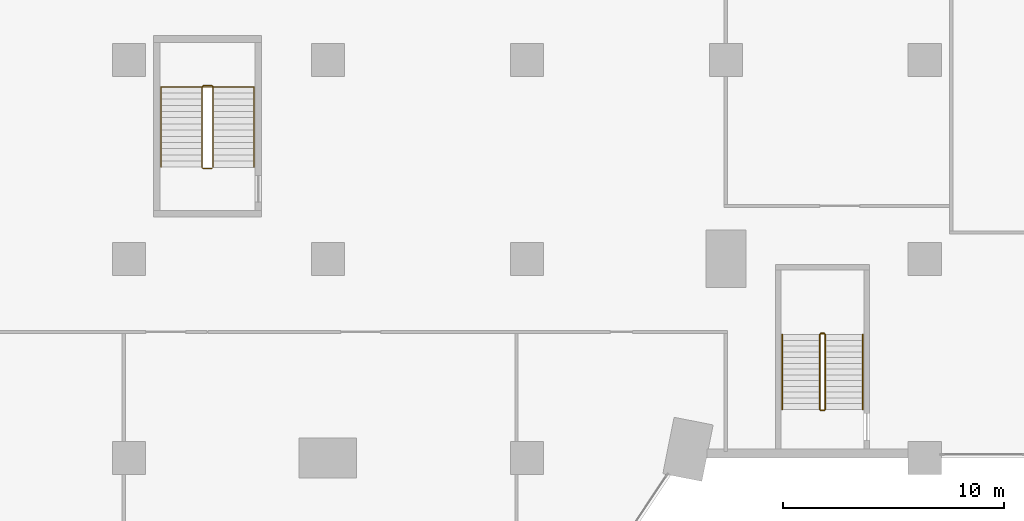
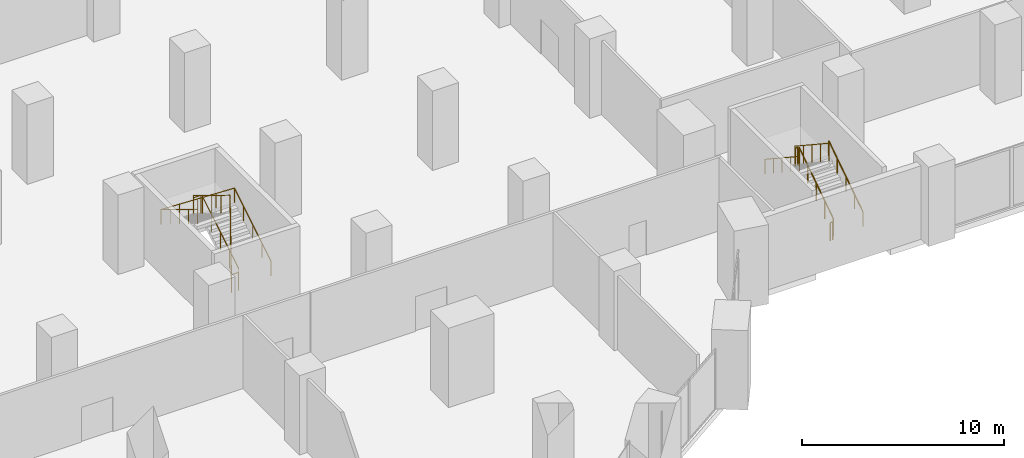
# One storey, part 25 of 31: 8 railings.
"""IFC4 building model written with IfcOpenShell, lengths in metres."""

from ifc_helpers import new_model, si_unit, direction, frame, origin, origin_2d, place, context, subcontext, project, spatial, circle, extrude, material, type_object, element, save


model = new_model("IFC4")

# Units and contexts
model_context = context("Model", 3, precision=1e-05, world=origin(), true_north=direction((0.0, 1.0)))
body_context = subcontext(model_context, "Body", "Model", "MODEL_VIEW")
ifc_project = project(units=[si_unit("LENGTHUNIT", "METRE"), si_unit("AREAUNIT", "SQUARE_METRE"), si_unit("VOLUMEUNIT", "CUBIC_METRE"), si_unit("PLANEANGLEUNIT", "RADIAN"), si_unit("MASSUNIT", "GRAM", prefix="KILO")], contexts=[model_context])

# Site, building, storey
site_placement = place(None, origin())
site = spatial("IfcSite", under=ifc_project, at=site_placement, CompositionType="ELEMENT")
building_placement = place(site_placement, origin())
building = spatial("IfcBuilding", under=site, at=building_placement, Name="Hunhe Ridgeline Campus", CompositionType="ELEMENT")
storey_placement = place(building_placement, frame((0.0, 0.0, 16.800048828125)))
storey = spatial("IfcBuildingStorey", under=building, at=storey_placement, Name="L03", CompositionType="ELEMENT", Elevation=16.800048828125)

# Railings
ifc_material_1 = material(Name="Steel Q235", Category="steel")
railing_type_1 = type_object("IfcRailingType", Name="Podium stair guard 1100", PredefinedType="GUARDRAIL", material=ifc_material_1)
railing_1_placement = place(storey_placement, frame((49.5, 20.199951171875, 0.17138671875)))
element("IfcRailing", 1, at=railing_1_placement, inside=storey, type_object=railing_type_1, Name="L03 PS1 stair guard 1", PredefinedType="GUARDRAIL", context=body_context, shape_type="SweptSolid", body=[
    extrude(circle(Radius=0.02392578125, at=origin_2d()), frame((0.0, 0.0, 1.076171875), z_axis=(0.0, 0.834878220475, 0.550434698194), x_axis=(-1.0, 0.0, 0.0)), (0.0, 0.0, 1.0), 4.048583984375),
    extrude(circle(Radius=0.02099609375, at=origin_2d()), origin(), (0.0, 0.0, 1.0), 1.052001953125),
    extrude(circle(Radius=0.02099609375, at=origin_2d()), frame((0.0, 0.844970703125, 0.55712890625)), (0.0, 0.0, 1.0), 1.052001953125),
    extrude(circle(Radius=0.02099609375, at=origin_2d()), frame((0.0, 1.68994140625, 1.1142578125)), (0.0, 0.0, 1.0), 1.052001953125),
    extrude(circle(Radius=0.02099609375, at=origin_2d()), frame((0.0, 2.53515625, 1.67138671875)), (0.0, 0.0, 1.0), 1.052001953125),
    extrude(circle(Radius=0.02099609375, at=origin_2d()), frame((0.0, 3.380126953125, 2.228515625)), (0.0, 0.0, 1.0), 1.052001953125),
])
railing_2_placement = place(storey_placement, frame((49.449951171875, 23.6298828125, 2.39990234375)))
element("IfcRailing", 2, at=railing_2_placement, inside=storey, type_object=railing_type_1, Name="L03 PS1 stair guard 2", PredefinedType="GUARDRAIL", context=body_context, shape_type="SweptSolid", body=[
    extrude(circle(Radius=0.02392578125, at=origin_2d()), frame((0.0, 0.0, 1.076171875), z_axis=(-1.0, 0.0, 0.0), x_axis=(0.0, -1.0, 0.0)), (0.0, 0.0, 1.0), 0.14990234375),
    extrude(circle(Radius=0.02099609375, at=origin_2d()), origin(), (0.0, 0.0, 1.0), 1.052001953125),
    extrude(circle(Radius=0.02099609375, at=origin_2d()), frame((-0.14990234375, 0.0, 0.0)), (0.0, 0.0, 1.0), 1.052001953125),
])
railing_3_placement = place(storey_placement, frame((49.25, 23.580078125, 2.5712890625)))
element("IfcRailing", 3, at=railing_3_placement, inside=storey, type_object=railing_type_1, Name="L03 PS1 stair guard 3", PredefinedType="GUARDRAIL", context=body_context, shape_type="SweptSolid", body=[
    extrude(circle(Radius=0.02392578125, at=origin_2d()), frame((0.0, 0.0, 1.076171875), z_axis=(0.0, -0.834850508896, 0.550476727751), x_axis=(1.0, 0.0, 0.0)), (0.0, 0.0, 1.0), 4.048828125),
    extrude(circle(Radius=0.02099609375, at=origin_2d()), origin(), (0.0, 0.0, 1.0), 1.052001953125),
    extrude(circle(Radius=0.02099609375, at=origin_2d()), frame((0.0, -0.844970703125, 0.55712890625)), (0.0, 0.0, 1.0), 1.052001953125),
    extrude(circle(Radius=0.02099609375, at=origin_2d()), frame((0.0, -1.68994140625, 1.1142578125)), (0.0, 0.0, 1.0), 1.052001953125),
    extrude(circle(Radius=0.02099609375, at=origin_2d()), frame((0.0, -2.53515625, 1.671630859375)), (0.0, 0.0, 1.0), 1.052001953125),
    extrude(circle(Radius=0.02099609375, at=origin_2d()), frame((0.0, -3.380126953125, 2.228759765625)), (0.0, 0.0, 1.0), 1.052001953125),
])
railing_4_placement = place(storey_placement, frame((49.449951171875, 20.14990234375, 0.0)))
element("IfcRailing", 4, at=railing_4_placement, inside=storey, type_object=railing_type_1, Name="L03 PS1 stair guard 4", PredefinedType="GUARDRAIL", context=body_context, shape_type="SweptSolid", body=[
    extrude(circle(Radius=0.02392578125, at=origin_2d()), frame((0.0, 0.0, 1.076171875), z_axis=(-1.0, 0.0, 0.0), x_axis=(0.0, -1.0, 0.0)), (0.0, 0.0, 1.0), 0.14990234375),
    extrude(circle(Radius=0.02099609375, at=origin_2d()), origin(), (0.0, 0.0, 1.0), 1.052001953125),
    extrude(circle(Radius=0.02099609375, at=origin_2d()), frame((-0.14990234375, 0.0, 0.0)), (0.0, 0.0, 1.0), 1.052001953125),
])
railing_type_2 = type_object("IfcRailingType", Name="Podium stair handrail", PredefinedType="HANDRAIL", material=ifc_material_1)
railing_5_placement = place(storey_placement, frame((51.199951171875, 20.199951171875, 0.17138671875)))
element("IfcRailing", 5, at=railing_5_placement, inside=storey, type_object=railing_type_2, Name="L03 PS1 stair handrail 1", PredefinedType="HANDRAIL", context=body_context, shape_type="SweptSolid", body=[
    extrude(circle(Radius=0.02392578125, at=origin_2d()), frame((0.0, 0.0, 0.8759765625), z_axis=(0.0, 0.834878220475, 0.550434698194), x_axis=(-1.0, 0.0, 0.0)), (0.0, 0.0, 1.0), 4.048583984375),
    extrude(circle(Radius=0.02099609375, at=origin_2d()), origin(), (0.0, 0.0, 1.0), 0.851806640625),
    extrude(circle(Radius=0.02099609375, at=origin_2d()), frame((0.0, 0.844970703125, 0.55712890625)), (0.0, 0.0, 1.0), 0.851806640625),
    extrude(circle(Radius=0.02099609375, at=origin_2d()), frame((0.0, 1.68994140625, 1.1142578125)), (0.0, 0.0, 1.0), 0.851806640625),
    extrude(circle(Radius=0.02099609375, at=origin_2d()), frame((0.0, 2.53515625, 1.67138671875)), (0.0, 0.0, 1.0), 0.851806640625),
    extrude(circle(Radius=0.02099609375, at=origin_2d()), frame((0.0, 3.380126953125, 2.228515625)), (0.0, 0.0, 1.0), 0.851806640625),
])
railing_6_placement = place(storey_placement, frame((47.550048828125, 23.580078125, 2.5712890625)))
element("IfcRailing", 6, at=railing_6_placement, inside=storey, type_object=railing_type_2, Name="L03 PS1 stair handrail 2", PredefinedType="HANDRAIL", context=body_context, shape_type="SweptSolid", body=[
    extrude(circle(Radius=0.02392578125, at=origin_2d()), frame((0.0, 0.0, 0.8759765625), z_axis=(0.0, -0.834850508896, 0.550476727751), x_axis=(1.0, 0.0, 0.0)), (0.0, 0.0, 1.0), 4.048828125),
    extrude(circle(Radius=0.02099609375, at=origin_2d()), origin(), (0.0, 0.0, 1.0), 0.851806640625),
    extrude(circle(Radius=0.02099609375, at=origin_2d()), frame((0.0, -0.844970703125, 0.55712890625)), (0.0, 0.0, 1.0), 0.851806640625),
    extrude(circle(Radius=0.02099609375, at=origin_2d()), frame((0.0, -1.68994140625, 1.1142578125)), (0.0, 0.0, 1.0), 0.851806640625),
    extrude(circle(Radius=0.02099609375, at=origin_2d()), frame((0.0, -2.53515625, 1.671630859375)), (0.0, 0.0, 1.0), 0.851806640625),
    extrude(circle(Radius=0.02099609375, at=origin_2d()), frame((0.0, -3.380126953125, 2.228759765625)), (0.0, 0.0, 1.0), 0.851806640625),
])
ifc_material_2 = material(Name="Stainless steel balustrade", Category="steel")
railing_type_3 = type_object("IfcRailingType", Name="Stair guard 1100 stainless", PredefinedType="GUARDRAIL", material=ifc_material_2)
railing_7_placement = place(storey_placement, frame((21.800048828125, 31.14990234375, 0.17138671875)))
element("IfcRailing", 7, at=railing_7_placement, inside=storey, type_object=railing_type_3, Name="L03 stair W3 guard", PredefinedType="GUARDRAIL", context=body_context, shape_type="SweptSolid", body=[
    extrude(circle(Radius=0.02392578125, at=origin_2d()), frame((0.0, 0.0, 1.076171875), z_axis=(0.0, 0.852865859571, 0.52213008492), x_axis=(-1.0, 0.0, 0.0)), (0.0, 0.0, 1.0), 4.26806640625),
    extrude(circle(Radius=0.02392578125, at=origin_2d()), frame((0.0, 3.64013671875, 3.3046875), z_axis=(-0.707106781187, 0.707106781187, 0.0), x_axis=(-0.707106781187, -0.707106781187, 0.0)), (0.0, 0.0, 1.0), 0.07080078125),
    extrude(circle(Radius=0.02392578125, at=origin_2d()), frame((-0.050048828125, 3.690185546875, 3.3046875), z_axis=(-1.0, 0.0, 0.0), x_axis=(0.0, -1.0, 0.0)), (0.0, 0.0, 1.0), 0.39990234375),
    extrude(circle(Radius=0.02392578125, at=origin_2d()), frame((-0.449951171875, 3.690185546875, 3.3046875), z_axis=(-0.269911200495, -0.269911200495, 0.924281281696), x_axis=(0.707106781187, -0.707106781187, 0.0)), (0.0, 0.0, 1.0), 0.185546875),
    extrude(circle(Radius=0.02392578125, at=origin_2d()), frame((-0.5, 3.64013671875, 3.47607421875), z_axis=(0.0, -0.852840387347, 0.522171689878), x_axis=(1.0, 0.0, 0.0)), (0.0, 0.0, 1.0), 4.268310546875),
    extrude(circle(Radius=0.02392578125, at=origin_2d()), frame((-0.5, 0.0, 5.70458984375), z_axis=(0.010425605265, -0.010374748654, -0.999891829822), x_axis=(0.705375805398, 0.708833529934, 0.0)), (0.0, 0.0, 1.0), 4.800537109375),
    extrude(circle(Radius=0.02392578125, at=origin_2d()), frame((-0.449951171875, -0.0498046875, 0.90478515625), z_axis=(1.0, 0.0, 0.0), x_axis=(0.0, 1.0, 0.0)), (0.0, 0.0, 1.0), 0.39990234375),
    extrude(circle(Radius=0.02099609375, at=origin_2d()), origin(), (0.0, 0.0, 1.0), 1.052001953125),
    extrude(circle(Radius=0.02099609375, at=origin_2d()), frame((0.0, 0.91015625, 0.55712890625)), (0.0, 0.0, 1.0), 1.052001953125),
    extrude(circle(Radius=0.02099609375, at=origin_2d()), frame((0.0, 1.820068359375, 1.1142578125)), (0.0, 0.0, 1.0), 1.052001953125),
    extrude(circle(Radius=0.02099609375, at=origin_2d()), frame((0.0, 2.72998046875, 1.67138671875)), (0.0, 0.0, 1.0), 1.052001953125),
    extrude(circle(Radius=0.02099609375, at=origin_2d()), frame((0.0, 3.64013671875, 2.228515625)), (0.0, 0.0, 1.0), 1.052001953125),
    extrude(circle(Radius=0.02099609375, at=origin_2d()), frame((-0.050048828125, 3.690185546875, 2.228515625)), (0.0, 0.0, 1.0), 1.052001953125),
    extrude(circle(Radius=0.02099609375, at=origin_2d()), frame((-0.449951171875, 3.690185546875, 2.228515625)), (0.0, 0.0, 1.0), 1.052001953125),
    extrude(circle(Radius=0.02099609375, at=origin_2d()), frame((-0.5, 3.64013671875, 2.39990234375)), (0.0, 0.0, 1.0), 1.052001953125),
    extrude(circle(Radius=0.02099609375, at=origin_2d()), frame((-0.5, 2.72998046875, 2.95703125)), (0.0, 0.0, 1.0), 1.052001953125),
    extrude(circle(Radius=0.02099609375, at=origin_2d()), frame((-0.5, 1.820068359375, 3.51416015625)), (0.0, 0.0, 1.0), 1.052001953125),
    extrude(circle(Radius=0.02099609375, at=origin_2d()), frame((-0.5, 0.91015625, 4.071533203125)), (0.0, 0.0, 1.0), 1.052001953125),
    extrude(circle(Radius=0.02099609375, at=origin_2d()), frame((-0.5, 0.0, 4.628662109375)), (0.0, 0.0, 1.0), 1.052001953125),
    extrude(circle(Radius=0.02099609375, at=origin_2d()), frame((-0.489990234375, -0.010009765625, 3.668701171875)), (0.0, 0.0, 1.0), 1.052001953125),
    extrude(circle(Radius=0.02099609375, at=origin_2d()), frame((-0.47998046875, -0.02001953125, 2.708740234375)), (0.0, 0.0, 1.0), 1.052001953125),
    extrude(circle(Radius=0.02099609375, at=origin_2d()), frame((-0.469970703125, -0.02978515625, 1.74853515625)), (0.0, 0.0, 1.0), 1.052001953125),
    extrude(circle(Radius=0.02099609375, at=origin_2d()), frame((-0.4599609375, -0.039794921875, 0.78857421875)), (0.0, 0.0, 1.0), 1.052001953125),
    extrude(circle(Radius=0.02099609375, at=origin_2d()), frame((-0.449951171875, -0.0498046875, -0.17138671875)), (0.0, 0.0, 1.0), 1.052001953125),
    extrude(circle(Radius=0.02099609375, at=origin_2d()), frame((-0.050048828125, -0.0498046875, -0.17138671875)), (0.0, 0.0, 1.0), 1.052001953125),
])
ifc_material_3 = material(Name="Stainless steel handrail", Category="steel")
railing_type_4 = type_object("IfcRailingType", Name="Stair handrail 900 stainless", PredefinedType="HANDRAIL", material=ifc_material_3)
railing_8_placement = place(storey_placement, frame((23.64990234375, 31.14990234375, 0.17138671875)))
element("IfcRailing", 8, at=railing_8_placement, inside=storey, type_object=railing_type_4, Name="L03 stair W3 handrail", PredefinedType="HANDRAIL", context=body_context, shape_type="SweptSolid", body=[
    extrude(circle(Radius=0.02392578125, at=origin_2d()), frame((0.0, 0.0, 0.8759765625), z_axis=(0.0, 0.852865859571, 0.52213008492), x_axis=(-1.0, 0.0, 0.0)), (0.0, 0.0, 1.0), 4.26806640625),
    extrude(circle(Radius=0.02392578125, at=origin_2d()), frame((0.0, 3.64013671875, 3.1044921875), z_axis=(-0.999168439458, 0.0, 0.040772902662), x_axis=(0.0, -1.0, 0.0)), (0.0, 0.0, 1.0), 4.203369140625),
    extrude(circle(Radius=0.02392578125, at=origin_2d()), frame((-4.199951171875, 3.64013671875, 3.27587890625), z_axis=(0.0, -0.852840387347, 0.522171689878), x_axis=(1.0, 0.0, 0.0)), (0.0, 0.0, 1.0), 4.268310546875),
    extrude(circle(Radius=0.02099609375, at=origin_2d()), origin(), (0.0, 0.0, 1.0), 0.851806640625),
    extrude(circle(Radius=0.02099609375, at=origin_2d()), frame((0.0, 0.91015625, 0.55712890625)), (0.0, 0.0, 1.0), 0.851806640625),
    extrude(circle(Radius=0.02099609375, at=origin_2d()), frame((0.0, 1.820068359375, 1.1142578125)), (0.0, 0.0, 1.0), 0.851806640625),
    extrude(circle(Radius=0.02099609375, at=origin_2d()), frame((0.0, 2.72998046875, 1.67138671875)), (0.0, 0.0, 1.0), 0.851806640625),
    extrude(circle(Radius=0.02099609375, at=origin_2d()), frame((0.0, 3.64013671875, 2.228515625)), (0.0, 0.0, 1.0), 0.851806640625),
    extrude(circle(Radius=0.02099609375, at=origin_2d()), frame((-1.050048828125, 3.64013671875, 2.271484375)), (0.0, 0.0, 1.0), 0.851806640625),
    extrude(circle(Radius=0.02099609375, at=origin_2d()), frame((-2.10009765625, 3.64013671875, 2.314208984375)), (0.0, 0.0, 1.0), 0.851806640625),
    extrude(circle(Radius=0.02099609375, at=origin_2d()), frame((-3.14990234375, 3.64013671875, 2.35693359375)), (0.0, 0.0, 1.0), 0.851806640625),
    extrude(circle(Radius=0.02099609375, at=origin_2d()), frame((-4.199951171875, 3.64013671875, 2.39990234375)), (0.0, 0.0, 1.0), 0.851806640625),
    extrude(circle(Radius=0.02099609375, at=origin_2d()), frame((-4.199951171875, 2.72998046875, 2.95703125)), (0.0, 0.0, 1.0), 0.851806640625),
    extrude(circle(Radius=0.02099609375, at=origin_2d()), frame((-4.199951171875, 1.820068359375, 3.51416015625)), (0.0, 0.0, 1.0), 0.851806640625),
    extrude(circle(Radius=0.02099609375, at=origin_2d()), frame((-4.199951171875, 0.91015625, 4.071533203125)), (0.0, 0.0, 1.0), 0.851806640625),
    extrude(circle(Radius=0.02099609375, at=origin_2d()), frame((-4.199951171875, 0.0, 4.628662109375)), (0.0, 0.0, 1.0), 0.851806640625),
])

save(model, "model.ifc")
